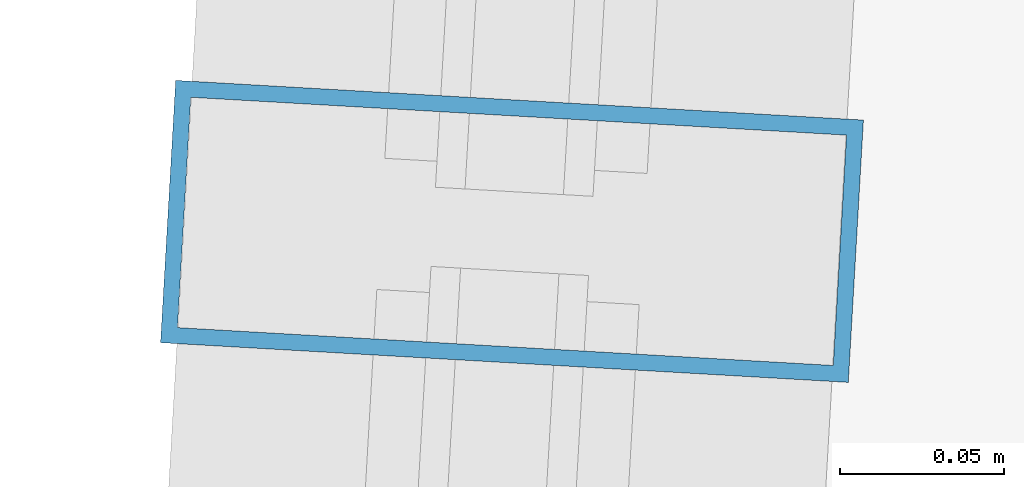
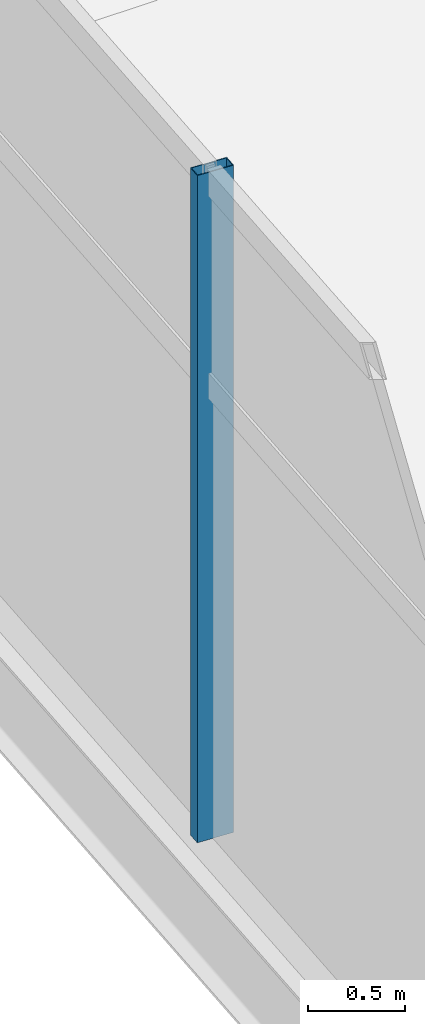
# One storey, part 46 of 184: 1 member, 1 element without a shape of its own.
"""IFC4 building model written with IfcOpenShell, lengths in metres."""

import ifcopenshell
import ifcopenshell.guid

model = None  # the IFC model being written
_history = None  # IfcOwnerHistory: only IFC2X3 demands one
_inside = {}  # id of a spatial element -> (the spatial element, [elements in it])
_under = {}  # id of a project, library or spatial element -> (it, [spatial elements below it])
_declared = {}  # id of a project -> (the project, [libraries it declares])
_typed = {}  # id of a type object -> (the type object, [elements of that type])
_made_of = {}  # id of a material, layer set ... -> (it, [elements and type objects made of it])


def new_model(schema):
    """Start an empty IFC model of exactly this schema.

    Asked for "IFC4X3", IfcOpenShell would pick the latest addendum, in which some entities
    have other attributes; the version numbers below select the first issue.
    IFC2X3 requires an IfcOwnerHistory on every rooted entity: one is made here for all.
    """
    global model, _history
    if schema == "IFC4X3":
        model = ifcopenshell.file(schema_version=(4, 3, 0, 0))
    else:
        model = ifcopenshell.file(schema=schema)
    _inside.clear()
    _under.clear()
    _declared.clear()
    _typed.clear()
    _made_of.clear()
    _history = None
    if model.schema == "IFC2X3":
        org = make("IfcOrganization", Name="unknown")
        user = make(
            "IfcPersonAndOrganization",
            ThePerson=make("IfcPerson", FamilyName="unknown"),
            TheOrganization=org,
        )
        app = make(
            "IfcApplication",
            ApplicationDeveloper=org,
            Version="unknown",
            ApplicationFullName="unknown",
            ApplicationIdentifier="unknown",
        )
        _history = make(
            "IfcOwnerHistory",
            OwningUser=user,
            OwningApplication=app,
            ChangeAction="ADDED",
            CreationDate=0,
        )
    return model


def make(cls, **values):
    """One entity of the class cls with the attributes given. An attribute that is None is left unset."""
    return model.create_entity(
        cls, **{name: value for name, value in values.items() if value is not None}
    )


def rooted(cls, **values):
    """An entity with a GlobalId (a new one), such as an element, a storey or a relation."""
    return make(cls, GlobalId=ifcopenshell.guid.new(), OwnerHistory=_history, **values)


def si_unit(unit_type, name, prefix=None):
    """IfcSIUnit, for example si_unit("LENGTHUNIT", "METRE", prefix="MILLI")."""
    return make("IfcSIUnit", UnitType=unit_type, Prefix=prefix, Name=name)


def assignment(units):
    """IfcUnitAssignment: the units of a project."""
    return None if units is None else make("IfcUnitAssignment", Units=units)


def point(xyz):
    """IfcCartesianPoint."""
    return None if xyz is None else make("IfcCartesianPoint", Coordinates=xyz)


def direction(xyz):
    """IfcDirection."""
    return None if xyz is None else make("IfcDirection", DirectionRatios=xyz)


def frame(location, z_axis=None, x_axis=None):
    """IfcAxis2Placement3D, a coordinate frame: its origin and axes. An axis left out is left unset."""
    return make(
        "IfcAxis2Placement3D",
        Location=point(location),
        Axis=direction(z_axis),
        RefDirection=direction(x_axis),
    )


def frame_2d(location, x_axis=None):
    """IfcAxis2Placement2D, a coordinate frame in the plane: its origin and x axis."""
    return make(
        "IfcAxis2Placement2D", Location=point(location), RefDirection=direction(x_axis)
    )


def origin():
    """The frame at (0, 0, 0) with its axes left unset."""
    return frame((0.0, 0.0, 0.0))


def origin_2d():
    """The frame at (0, 0) in the plane with its x axis left unset."""
    return frame_2d((0.0, 0.0))


def place(relative_to, where):
    """IfcLocalPlacement: puts the frame where relative to a parent placement (None: the world)."""
    return make(
        "IfcLocalPlacement", PlacementRelTo=relative_to, RelativePlacement=where
    )


def context(
    kind, dimensions, precision=None, world=None, true_north=None, identifier=None
):
    """IfcGeometricRepresentationContext, for example the 3D "Model" context."""
    return make(
        "IfcGeometricRepresentationContext",
        ContextIdentifier=identifier,
        ContextType=kind,
        CoordinateSpaceDimension=dimensions,
        Precision=precision,
        WorldCoordinateSystem=world,
        TrueNorth=true_north,
    )


def subcontext(parent, identifier, kind, view, scale=None):
    """IfcGeometricRepresentationSubContext, for example "Body" below "Model"."""
    return make(
        "IfcGeometricRepresentationSubContext",
        ContextIdentifier=identifier,
        ContextType=kind,
        ParentContext=parent,
        TargetScale=scale,
        TargetView=view,
    )


def project(units=None, contexts=None):
    """IfcProject with its units and contexts."""
    return rooted(
        "IfcProject",
        Name="project",
        RepresentationContexts=contexts,
        UnitsInContext=assignment(units),
    )


def spatial(cls, under=None, at=None, **own):
    """A site, building, storey or space (cls), placed at a placement, below another one or the project."""
    s = rooted(cls, ObjectPlacement=at, **own)
    if under is not None:
        _under.setdefault(under.id(), (under, []))[1].append(s)
    return s


def profile(cls, at=None, kind="AREA", **sizes):
    """A parametric profile (cls). Its sizes go by their IFC names, for example OverallWidth=200.0."""
    return make(cls, ProfileType=kind, Position=at, **sizes)


def hollow_rectangle(**sizes):
    """IfcRectangleHollowProfileDef."""
    return profile("IfcRectangleHollowProfileDef", **sizes)


def extrude(swept, where, along, depth):
    """IfcExtrudedAreaSolid: the profile swept, set in the frame where, extruded along a direction by depth."""
    return make(
        "IfcExtrudedAreaSolid",
        SweptArea=swept,
        Position=where,
        ExtrudedDirection=direction(along),
        Depth=depth,
    )


def shape(context_of_items, identifier, shape_type, items):
    """IfcShapeRepresentation: the items that make up one representation, for example the "Body"."""
    return make(
        "IfcShapeRepresentation",
        ContextOfItems=context_of_items,
        RepresentationIdentifier=identifier,
        RepresentationType=shape_type,
        Items=items,
    )


def material(Name=None, Category=None):
    """IfcMaterial."""
    return make("IfcMaterial", Name=Name, Category=Category)


def layer(
    of_material, thickness, ventilated=None, Name=None, Category=None, Priority=None
):
    """IfcMaterialLayer: one layer of a wall or slab, of a material (None: an air gap)."""
    return make(
        "IfcMaterialLayer",
        Material=of_material,
        LayerThickness=thickness,
        IsVentilated=ventilated,
        Name=Name,
        Category=Category,
        Priority=Priority,
    )


def layer_set(layers, Name=None):
    """IfcMaterialLayerSet."""
    return make("IfcMaterialLayerSet", MaterialLayers=layers, LayerSetName=Name)


def material_profile(
    of_material, cross_section, Name=None, Category=None, Priority=None
):
    """IfcMaterialProfile: a cross section and its material."""
    return make(
        "IfcMaterialProfile",
        Name=Name,
        Material=of_material,
        Profile=cross_section,
        Priority=Priority,
        Category=Category,
    )


def profile_set(profiles, Name=None, composite=None):
    """IfcMaterialProfileSet."""
    return make(
        "IfcMaterialProfileSet",
        Name=Name,
        MaterialProfiles=profiles,
        CompositeProfile=composite,
    )


def made_of(thing, what):
    """Note that an element or type object is made of a material, layer set ...; save() writes the relation."""
    if what is not None:
        _made_of.setdefault(what.id(), (what, []))[1].append(thing)
    return thing


def type_object(cls, material=None, **own):
    """A type object (cls), such as IfcWallType, which elements share."""
    return made_of(rooted(cls, **own), material)


def element(
    cls,
    number,
    at=None,
    inside=None,
    cuts=None,
    type_object=None,
    material=None,
    context=None,
    identifier="Body",
    shape_type=None,
    held_by="IfcProductDefinitionShape",
    body=None,
    shapes=None,
    **own,
):
    """One element of the class cls, such as IfcWall. Its Tag is "e" and its number.

    at: its placement. inside: the storey or other place that contains it. cuts: it is an
    opening in that element (IfcRelVoidsElement). A single representation is given by context,
    identifier, shape_type and body (its items); several are given by shapes. held_by: the class
    of the entity that holds the representations. save() writes the other relations.
    """
    e = rooted(cls, Tag="e%d" % number, ObjectPlacement=at, **own)
    if body is not None:
        shapes = [shape(context, identifier, shape_type, body)]
    if shapes is not None:
        e.Representation = make(held_by, Representations=shapes)
    if inside is not None:
        _inside.setdefault(inside.id(), (inside, []))[1].append(e)
    if cuts is not None:
        rooted(
            "IfcRelVoidsElement", RelatingBuildingElement=cuts, RelatedOpeningElement=e
        )
    if type_object is not None:
        _typed.setdefault(type_object.id(), (type_object, []))[1].append(e)
    return made_of(e, material)


def aggregate(whole, parts):
    """IfcRelAggregates: a whole, such as a stair, and the parts it consists of."""
    return rooted("IfcRelAggregates", RelatingObject=whole, RelatedObjects=parts)


def save(model, path):
    """Write the relations noted so far, then the file.

    IfcRelAggregates (storeys below a building ...), IfcRelContainedInSpatialStructure (elements
    in a storey), IfcRelDefinesByType, IfcRelAssociatesMaterial and IfcRelDeclares: one each for
    every whole, place, type object, material and project.
    """
    for whole, parts in _under.values():
        aggregate(whole, parts)
    for where, things in _inside.values():
        rooted(
            "IfcRelContainedInSpatialStructure",
            RelatedElements=things,
            RelatingStructure=where,
        )
    for kind, things in _typed.values():
        rooted("IfcRelDefinesByType", RelatedObjects=things, RelatingType=kind)
    for what, things in _made_of.values():
        rooted("IfcRelAssociatesMaterial", RelatedObjects=things, RelatingMaterial=what)
    for by, libraries in _declared.values():
        rooted("IfcRelDeclares", RelatingContext=by, RelatedDefinitions=libraries)
    model.write(path)


model = new_model("IFC4")

# Units and contexts
model_context = context("Model", 3, precision=1e-05, world=origin(), true_north=direction((0.0, 1.0)))
body_context = subcontext(model_context, "Body", "Model", "MODEL_VIEW")
ifc_project = project(units=[si_unit("LENGTHUNIT", "METRE"), si_unit("AREAUNIT", "SQUARE_METRE"), si_unit("VOLUMEUNIT", "CUBIC_METRE"), si_unit("PLANEANGLEUNIT", "RADIAN"), si_unit("MASSUNIT", "GRAM", prefix="KILO")], contexts=[model_context])

# Site, building, storey
site_placement = place(None, origin())
site = spatial("IfcSite", under=ifc_project, at=site_placement, CompositionType="ELEMENT")
building_placement = place(site_placement, origin())
building = spatial("IfcBuilding", under=site, at=building_placement, Name="Kazemori Nagisa Stadium", CompositionType="ELEMENT")
storey_placement = place(building_placement, frame((0.0, 0.0, 10.5400390625)))
storey = spatial("IfcBuildingStorey", under=building, at=storey_placement, Name="L02", CompositionType="ELEMENT", Elevation=10.5400390625)

# Curtain wall, member
ifc_material_1 = material(Name="Anodised aluminium 6063-T5", Category="aluminium")
ifc_layer = layer(ifc_material_1, 0.2099609375, Name="Anodised aluminium 6063-T5", Category="aluminium")
ifc_layer_set = layer_set([ifc_layer], Name="Anodised aluminium 6063-T5")
curtain_wall_type = type_object("IfcCurtainWallType", Name="CW_L02R3_93", PredefinedType="USERDEFINED", material=ifc_layer_set)
curtain_wall_placement = place(storey_placement, origin())
curtain_wall = element("IfcCurtainWall", 1, at=curtain_wall_placement, inside=storey, type_object=curtain_wall_type, Name="Unitised curtain wall CW-L02R3-93 L02", ObjectType="UNITISED CURTAIN WALL", PredefinedType="USERDEFINED")
ifc_material_2 = material(Name="Aluminium 6063-T5 anodised", Category="aluminium")
ifc_material_profile = material_profile(ifc_material_2, hollow_rectangle(XDim=0.080078125, YDim=0.2099609375, WallThickness=0.0048828125, at=origin_2d()), Name="ALU-MULL-80x210x5")
ifc_profile_set = profile_set([ifc_material_profile], Name="Aluminium 6063-T5 anodised")
member_type = type_object("IfcMemberType", Name="Mullion_M02", PredefinedType="MULLION", material=ifc_profile_set)
member_placement = place(storey_placement, frame((22.737548828125, 114.78369140625, 0.0), z_axis=(0.0, 0.0, 1.0), x_axis=(-0.057601670941, -0.998339645364, 0.0)))
member = element("IfcMember", 2, at=member_placement, type_object=member_type, Name="Curtain wall mullion CW-L02R3-93-M2", PredefinedType="MULLION", context=body_context, shape_type="SweptSolid", body=[
    extrude(hollow_rectangle(XDim=0.080078125, YDim=0.2099609375, WallThickness=0.0048828125, at=origin_2d()), origin(), (0.0, 0.0, 1.0), 4.18994140625),
])
aggregate(curtain_wall, [member])

save(model, "model.ifc")
